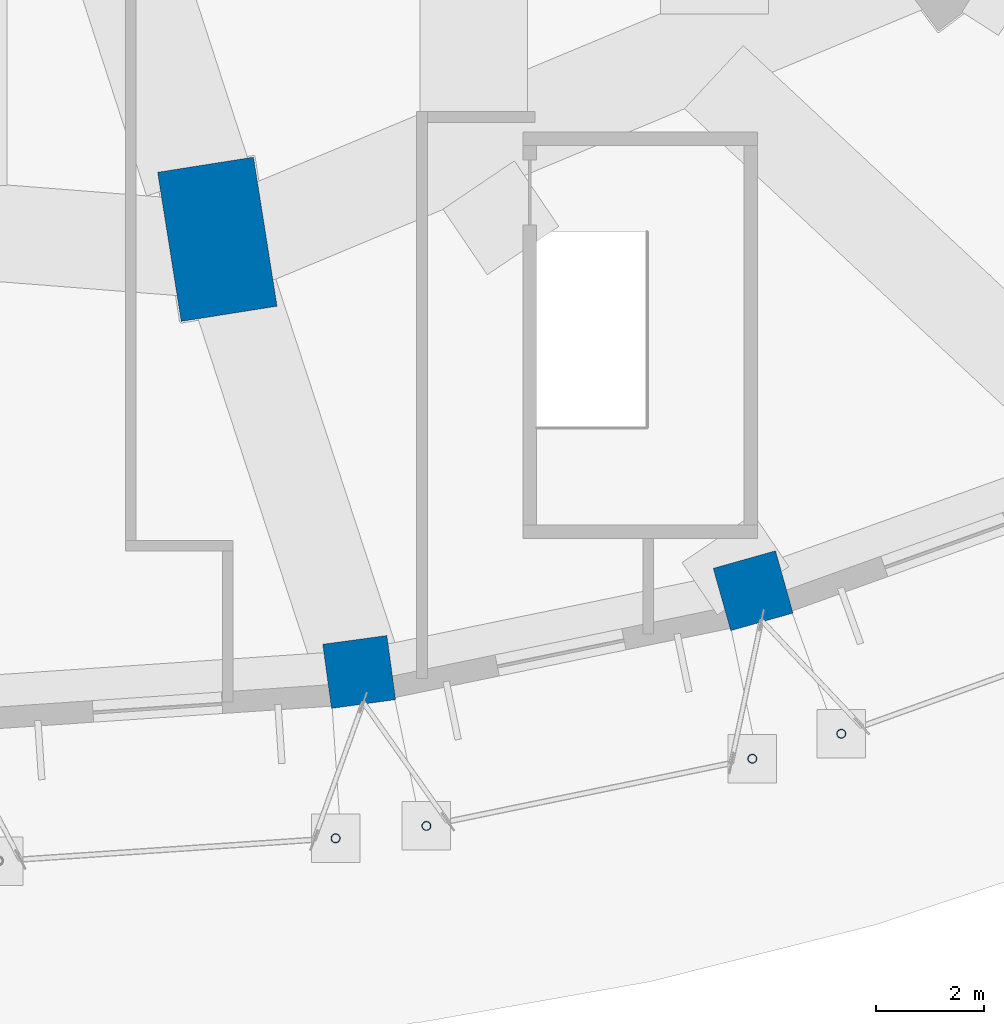
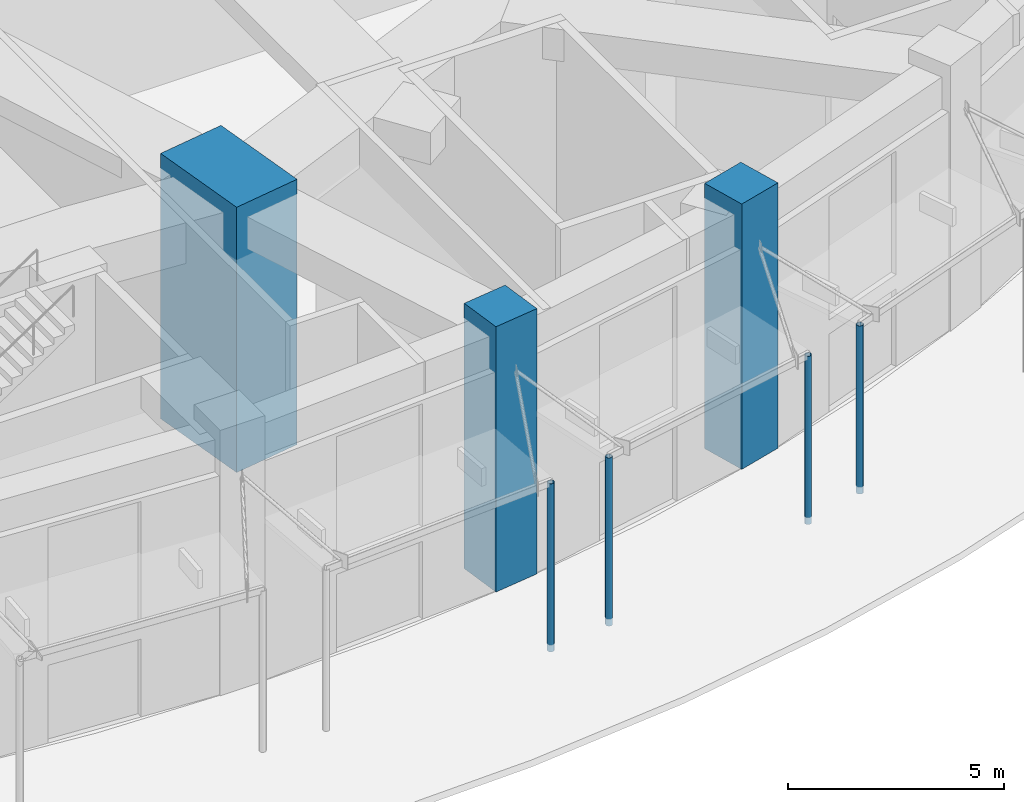
# One storey, part 7 of 60: 7 columns.
"""IFC4 building model written with IfcOpenShell, lengths in metres."""

from ifc_helpers import new_model, si_unit, direction, frame, origin, origin_2d, place, context, subcontext, project, spatial, rectangle, hollow_circle, extrude, material, material_profile, profile_set, type_object, element, save


model = new_model("IFC4")

# Units and contexts
model_context = context("Model", 3, precision=1e-05, world=origin(), true_north=direction((0.0, 1.0)))
body_context = subcontext(model_context, "Body", "Model", "MODEL_VIEW")
ifc_project = project(units=[si_unit("LENGTHUNIT", "METRE"), si_unit("AREAUNIT", "SQUARE_METRE"), si_unit("VOLUMEUNIT", "CUBIC_METRE"), si_unit("PLANEANGLEUNIT", "RADIAN"), si_unit("MASSUNIT", "GRAM", prefix="KILO")], contexts=[model_context])

# Site, building, storey
site_placement = place(None, origin())
site = spatial("IfcSite", under=ifc_project, at=site_placement, CompositionType="ELEMENT")
building_placement = place(site_placement, origin())
building = spatial("IfcBuilding", under=site, at=building_placement, Name="Taillehof Tower", CompositionType="ELEMENT")
storey_placement = place(building_placement, origin())
storey = spatial("IfcBuildingStorey", under=building, at=storey_placement, Name="L00", CompositionType="ELEMENT", Elevation=0.0)

# Columns
ifc_material_1 = material(Name="Steel S460M", Category="steel")
ifc_material_profile_1 = material_profile(ifc_material_1, hollow_circle(Radius=0.084228515625, WallThickness=0.008056640625, at=origin_2d()), Name="CHS 168.3x8")
ifc_profile_set_1 = profile_set([ifc_material_profile_1], Name="Steel S460M")
column_type_1 = type_object("IfcColumnType", Name="Canopy post CHS 168.3x8", PredefinedType="COLUMN", material=ifc_profile_set_1)
for number, where, z_axis, x_axis, name in (
    (1, (7.098388671875, -35.978515625, -0.199951171875), (0.0, 0.0, 1.0), (1.0, 0.0, 0.0), "Canopy post E6"),
    (2, (8.783203125, -35.749267578125, -0.199951171875), (0.0, 0.0, 1.0), (1.0, 0.0, 0.0), "Canopy post E7"),
    (3, (14.82958984375, -34.502197265625, -0.199951171875), (0.0, 0.0, 1.0), (1.0, 0.0, 0.0), "Canopy post E7"),
    (4, (16.4794921875, -34.038818359375, -0.199951171875), (0.0, 0.0, 1.0), (1.0, 0.0, 0.0), "Canopy post E8"),
):
    element("IfcColumn", number, at=place(storey_placement, frame(where, z_axis=z_axis, x_axis=x_axis)), inside=storey, type_object=column_type_1, Name=name, PredefinedType="COLUMN", context=body_context, shape_type="SweptSolid", body=[
        extrude(hollow_circle(Radius=0.084228515625, WallThickness=0.008056640625, at=origin_2d()), origin(), (0.0, 0.0, 1.0), 4.7548828125),
    ])
ifc_material_2 = material(Name="Concrete C80/95", Category="concrete")
ifc_material_profile_2 = material_profile(ifc_material_2, rectangle(XDim=2.800048828125, YDim=1.800048828125, at=origin_2d()), Name="RC 2800x1800")
ifc_profile_set_2 = profile_set([ifc_material_profile_2], Name="Concrete C80/95")
column_type_2 = type_object("IfcColumnType", Name="Mega column C80/95 2800x1800", PredefinedType="COLUMN", material=ifc_profile_set_2)
column_placement = place(storey_placement, frame((4.905517578125, -24.866455078125, 0.0), z_axis=(0.0, 0.0, 1.0), x_axis=(0.15614709407, -0.987733812833, 0.0)))
element("IfcColumn", 5, at=column_placement, inside=storey, type_object=column_type_2, Name="Mega column MG10", PredefinedType="COLUMN", context=body_context, shape_type="SweptSolid", body=[
    extrude(rectangle(XDim=2.800048828125, YDim=1.800048828125, at=origin_2d()), origin(), (0.0, 0.0, 1.0), 7.5),
])
ifc_material_3 = material(Name="Concrete C60/75", Category="concrete")
ifc_material_profile_3 = material_profile(ifc_material_3, rectangle(XDim=1.199951171875, YDim=1.199951171875, at=origin_2d()), Name="RC 1200x1200")
ifc_profile_set_3 = profile_set([ifc_material_profile_3], Name="Concrete C60/75")
column_type_3 = type_object("IfcColumnType", Name="Podium column C60/75 1200x1200", PredefinedType="COLUMN", material=ifc_profile_set_3)
for number, where, z_axis, x_axis, name in (
    (6, (7.536376953125, -32.892578125, 0.0), (0.0, 0.0, 1.0), (0.13500518998, -0.990844891332, 0.0), "Podium column PC29"),
    (7, (14.84375, -31.3857421875, 0.0), (0.0, 0.0, 1.0), (0.270745277365, -0.962651024403, 0.0), "Podium column PC30"),
):
    element("IfcColumn", number, at=place(storey_placement, frame(where, z_axis=z_axis, x_axis=x_axis)), inside=storey, type_object=column_type_3, Name=name, PredefinedType="COLUMN", context=body_context, shape_type="SweptSolid", body=[
        extrude(rectangle(XDim=1.199951171875, YDim=1.199951171875, at=origin_2d()), origin(), (0.0, 0.0, 1.0), 7.5),
    ])

save(model, "model.ifc")
